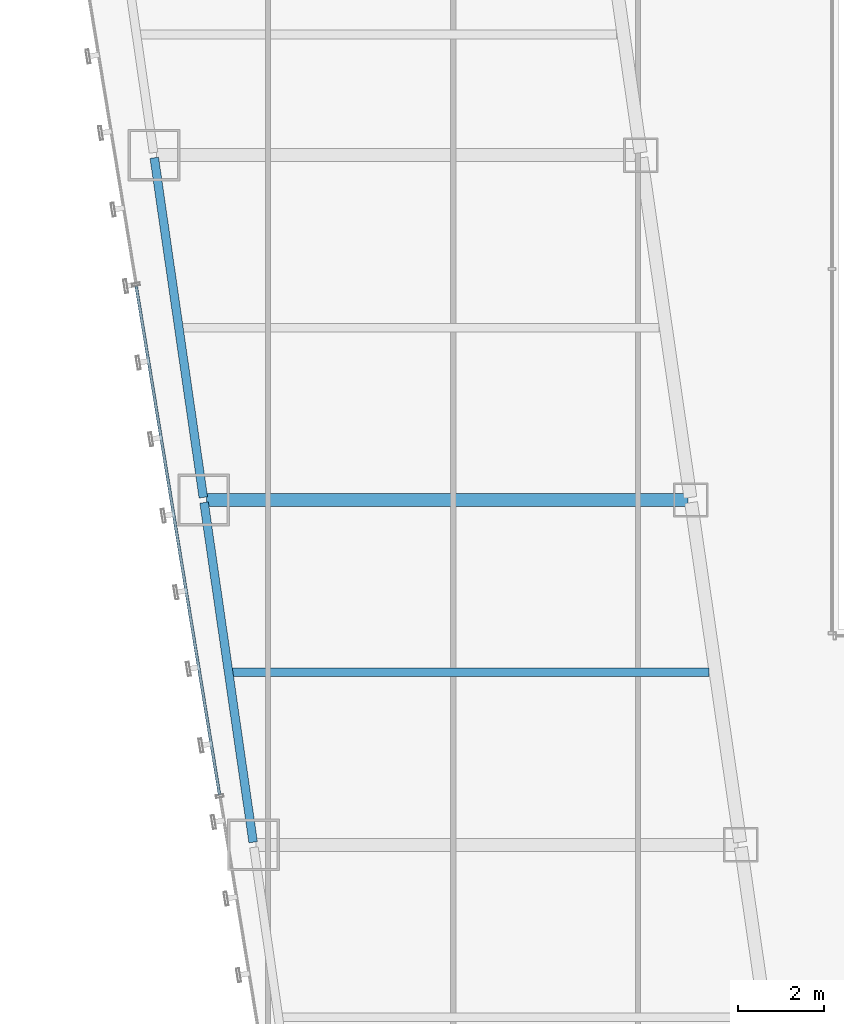
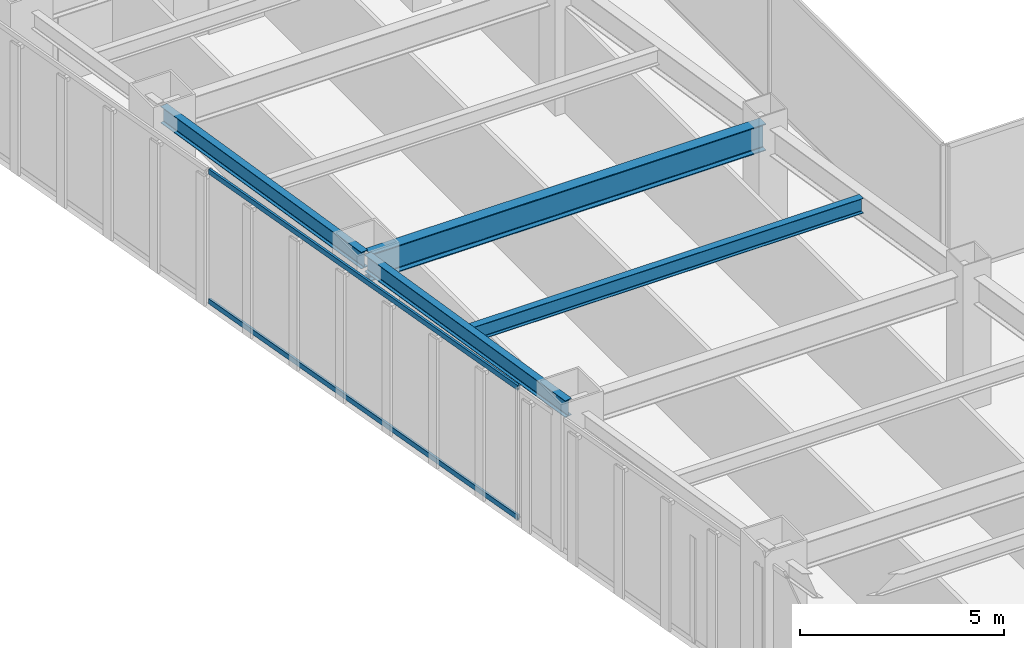
# One storey, part 10 of 47: 4 beams, 2 members, 1 element without a shape of its own.
"""IFC4 building model written with IfcOpenShell, lengths in metres."""

from ifc_helpers import new_model, si_unit, direction, frame, origin, origin_2d, place, context, subcontext, project, spatial, hollow_rectangle, i_section, extrude, material, material_profile, profile_set, type_object, element, aggregate, save


model = new_model("IFC4")

# Units and contexts
model_context = context("Model", 3, precision=1e-05, world=origin(), true_north=direction((0.0, 1.0)))
body_context = subcontext(model_context, "Body", "Model", "MODEL_VIEW")
ifc_project = project(units=[si_unit("LENGTHUNIT", "METRE"), si_unit("AREAUNIT", "SQUARE_METRE"), si_unit("VOLUMEUNIT", "CUBIC_METRE"), si_unit("PLANEANGLEUNIT", "RADIAN"), si_unit("MASSUNIT", "GRAM", prefix="KILO")], contexts=[model_context])

# Site, building, storey
site_placement = place(None, origin())
site = spatial("IfcSite", under=ifc_project, at=site_placement, CompositionType="ELEMENT")
building_placement = place(site_placement, origin())
building = spatial("IfcBuilding", under=site, at=building_placement, Name="Saevonmaru Cultural Tower", CompositionType="ELEMENT")
storey_placement = place(building_placement, frame((0.0, 0.0, 82.39990234375)))
storey = spatial("IfcBuildingStorey", under=building, at=storey_placement, Name="L17", CompositionType="ELEMENT", Elevation=82.39990234375)

# Beams
ifc_material_1 = material(Name="Steel SM420", Category="steel")
ifc_material_profile_1 = material_profile(ifc_material_1, i_section(OverallWidth=0.300048828125, OverallDepth=0.800048828125, WebThickness=0.013916015625, FlangeThickness=0.02587890625, FilletRadius=0.028076171875, at=origin_2d()), Name="H-800x300x14x26")
ifc_profile_set_1 = profile_set([ifc_material_profile_1], Name="Steel SM420")
beam_type_1 = type_object("IfcBeamType", Name="BM-G-H800", PredefinedType="BEAM", material=ifc_profile_set_1)
beam_1_placement = place(storey_placement, frame((9.531982421875, 24.0, 3.550048828125), z_axis=(1.0, 0.0, 0.0), x_axis=(0.0, 1.0, 0.0)))
element("IfcBeam", 1, at=beam_1_placement, inside=storey, type_object=beam_type_1, Name="L17 West Wing Transverse Girder 4", PredefinedType="BEAM", context=body_context, shape_type="SweptSolid", body=[
    extrude(i_section(OverallWidth=0.300048828125, OverallDepth=0.800048828125, WebThickness=0.013916015625, FlangeThickness=0.02587890625, FilletRadius=0.028076171875, at=origin_2d()), origin(), (0.0, 0.0, 1.0), 11.179931640625),
])
ifc_material_2 = material(Name="Steel SM355", Category="steel")
ifc_material_profile_2 = material_profile(ifc_material_2, i_section(OverallWidth=0.199951171875, OverallDepth=0.449951171875, WebThickness=0.009033203125, FlangeThickness=0.013916015625, FilletRadius=0.01806640625, at=origin_2d()), Name="H-450x200x9x14")
ifc_profile_set_2 = profile_set([ifc_material_profile_2], Name="Steel SM355")
beam_type_2 = type_object("IfcBeamType", Name="BM-J-H450", PredefinedType="JOIST", material=ifc_profile_set_2)
beam_2_placement = place(storey_placement, frame((10.110107421875, 20.0, 3.72509765625), z_axis=(1.0, 0.0, 0.0), x_axis=(0.0, 1.0, 0.0)))
element("IfcBeam", 2, at=beam_2_placement, inside=storey, type_object=beam_type_2, Name="L17 West Wing Floor Joist 3", PredefinedType="JOIST", context=body_context, shape_type="SweptSolid", body=[
    extrude(i_section(OverallWidth=0.199951171875, OverallDepth=0.449951171875, WebThickness=0.009033203125, FlangeThickness=0.013916015625, FilletRadius=0.01806640625, at=origin_2d()), origin(), (0.0, 0.0, 1.0), 11.081787109375),
])
ifc_material_profile_3 = material_profile(ifc_material_2, i_section(OverallWidth=0.199951171875, OverallDepth=0.5, WebThickness=0.010009765625, FlangeThickness=0.01611328125, FilletRadius=0.02001953125, at=origin_2d()), Name="H-500x200x10x16")
ifc_profile_set_3 = profile_set([ifc_material_profile_3], Name="Steel SM355")
beam_type_3 = type_object("IfcBeamType", Name="BM-SP-H500", PredefinedType="SPANDREL", material=ifc_profile_set_3)
for number, where, z_axis, x_axis, name in (
    (3, (10.619384765625, 16.059326171875, 3.7001953125), (-0.142992129437, 0.989723825579, 0.0), (-0.989723825579, -0.142992129437, 0.0), "L17 West Splayed Spandrel 3"),
    (4, (9.46337890625, 24.059326171875, 3.7001953125), (-0.142871999001, 0.989741174197, 0.0), (-0.989741174197, -0.142871999001, 0.0), "L17 West Splayed Spandrel 4"),
):
    element("IfcBeam", number, at=place(storey_placement, frame(where, z_axis=z_axis, x_axis=x_axis)), inside=storey, type_object=beam_type_3, Name=name, PredefinedType="SPANDREL", context=body_context, shape_type="SweptSolid", body=[
        extrude(i_section(OverallWidth=0.199951171875, OverallDepth=0.5, WebThickness=0.010009765625, FlangeThickness=0.01611328125, FilletRadius=0.02001953125, at=origin_2d()), origin(), (0.0, 0.0, 1.0), 7.963134765625),
    ])

# Curtain wall, members
ifc_material_3 = material(Name="Satin Bronze Anodised Aluminium", Category="aluminium")
curtain_wall_type = type_object("IfcCurtainWallType", Name="CW-TYP-A", PredefinedType="NOTDEFINED", material=ifc_material_3)
curtain_wall_placement = place(storey_placement, origin())
curtain_wall = element("IfcCurtainWall", 5, at=curtain_wall_placement, inside=storey, type_object=curtain_wall_type, Name="L17 Unitised Curtain Wall E12", PredefinedType="NOTDEFINED")
ifc_material_profile_4 = material_profile(ifc_material_3, hollow_rectangle(XDim=0.06494140625, YDim=0.14990234375, WallThickness=0.00390625, at=origin_2d()), Name="ALU-TRAN-150x65x4")
ifc_profile_set_4 = profile_set([ifc_material_profile_4], Name="Satin Bronze Anodised Aluminium")
member_type = type_object("IfcMemberType", Name="TR-CW-150x65", PredefinedType="USERDEFINED", material=ifc_profile_set_4)
member_1_placement = place(storey_placement, frame((7.9052734375, 28.968017578125, 0.03271484375), z_axis=(0.161701400727, -0.986839732177, 0.0), x_axis=(0.986839732177, 0.161701400727, 0.0)))
member_1 = element("IfcMember", 6, at=member_1_placement, type_object=member_type, Name="CW-TW-L17-E12 transom 3.1", ObjectType="TRANSOM", PredefinedType="USERDEFINED", context=body_context, shape_type="SweptSolid", body=[
    extrude(hollow_rectangle(XDim=0.06494140625, YDim=0.14990234375, WallThickness=0.00390625, at=origin_2d()), origin(), (0.0, 0.0, 1.0), 11.9638671875),
])
member_2_placement = place(storey_placement, frame((7.9052734375, 28.968017578125, 3.91748046875), z_axis=(0.161701400727, -0.986839732177, 0.0), x_axis=(0.986839732177, 0.161701400727, 0.0)))
member_2 = element("IfcMember", 7, at=member_2_placement, type_object=member_type, Name="CW-TW-L17-E12 transom 3.2", ObjectType="TRANSOM", PredefinedType="USERDEFINED", context=body_context, shape_type="SweptSolid", body=[
    extrude(hollow_rectangle(XDim=0.06494140625, YDim=0.14990234375, WallThickness=0.00390625, at=origin_2d()), origin(), (0.0, 0.0, 1.0), 11.9638671875),
])
aggregate(curtain_wall, [member_1, member_2])

save(model, "model.ifc")
